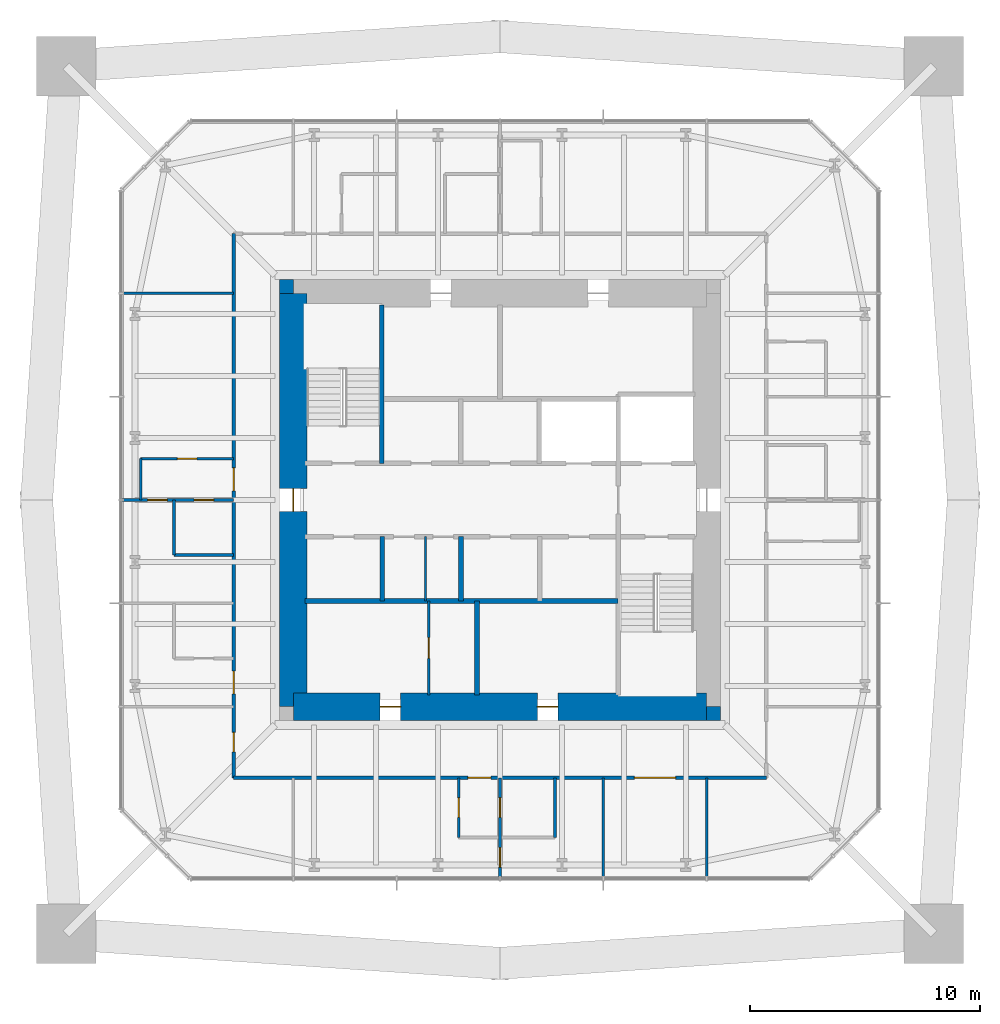
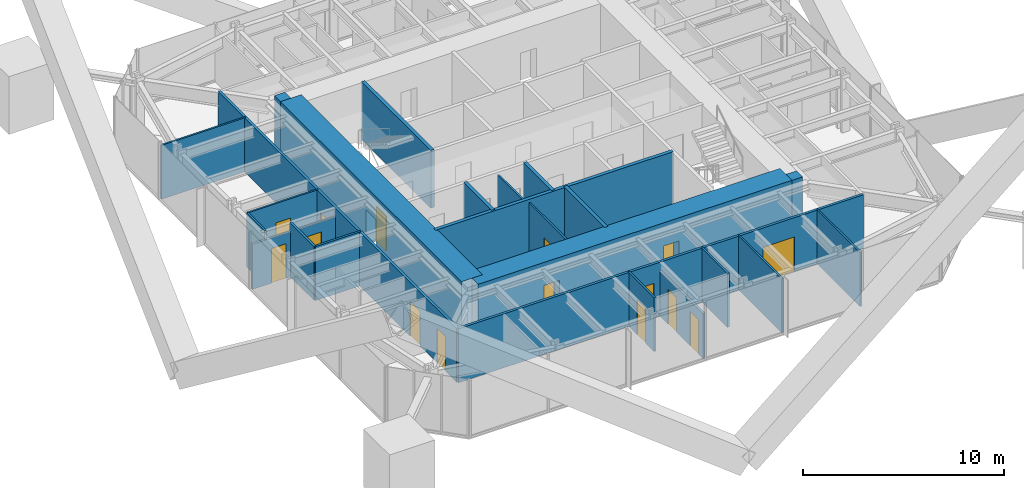
# One storey, part 8 of 11: 24 walls, 15 doors, 15 openings.
"""IFC4 building model written with IfcOpenShell, lengths in metres."""

from ifc_helpers import new_model, si_unit, direction, frame, frame_2d, origin, place, context, subcontext, project, spatial, rectangle, extrude, material, layer, layer_set, type_object, element, fill, save


model = new_model("IFC4")

# Units and contexts
model_context = context("Model", 3, precision=1e-05, world=origin(), true_north=direction((0.0, 1.0)))
body_context = subcontext(model_context, "Body", "Model", "MODEL_VIEW")
ifc_project = project(units=[si_unit("LENGTHUNIT", "METRE"), si_unit("AREAUNIT", "SQUARE_METRE"), si_unit("VOLUMEUNIT", "CUBIC_METRE"), si_unit("PLANEANGLEUNIT", "RADIAN"), si_unit("MASSUNIT", "GRAM", prefix="KILO")], contexts=[model_context])

# Site, building, storey
site_placement = place(None, origin())
site = spatial("IfcSite", under=ifc_project, at=site_placement, CompositionType="ELEMENT")
building_placement = place(site_placement, origin())
building = spatial("IfcBuilding", under=site, at=building_placement, Name="Iwan Alto Co-Living Towers", CompositionType="ELEMENT")
storey_placement = place(building_placement, frame((0.0, 0.0, 229.0)))
storey = spatial("IfcBuildingStorey", under=building, at=storey_placement, Name="L62", CompositionType="ELEMENT", Elevation=229.0)

# Wall, openings, doors
ifc_material_1 = material(Name="Gypsum board")
ifc_layer_1 = layer(ifc_material_1, 0.02490234375, Name="Board", Category="Finish")
ifc_material_2 = material(Name="Steel ASTM A1003 ST33H cold-formed studs", Category="steel")
ifc_layer_2 = layer(ifc_material_2, 0.10009765625, Name="Studs", Category="Framing")
ifc_layer_3 = layer(ifc_material_1, 0.02490234375, Name="Board", Category="Finish")
ifc_layer_set_1 = layer_set([ifc_layer_1, ifc_layer_2, ifc_layer_3], Name="CORRIDOR WALL 150")
wall_type_1 = type_object("IfcWallType", Name="CORRIDOR WALL 150", PredefinedType="PARTITIONING", material=ifc_layer_set_1)
wall_1_placement = place(storey_placement, frame((-11.60009765625, -12.10009765625, 0.0), z_axis=(0.0, 0.0, 1.0), x_axis=(1.0, 0.0, 0.0)))
wall_1 = element("IfcWall", 1, at=wall_1_placement, inside=storey, type_object=wall_type_1, Name="Partition L62", PredefinedType="PARTITIONING", context=body_context, shape_type="SweptSolid", body=[
    extrude(rectangle(XDim=23.2001953125, YDim=0.14990234375, at=frame_2d((11.60009765625, 0.0))), origin(), (0.0, 0.0, 1.0), 3.27001953125),
])
opening_1_placement = place(wall_1_placement, frame((10.199951171875, 0.0, 0.0)))
opening_1 = element("IfcOpeningElement", 2, at=opening_1_placement, cuts=wall_1, Name="Opening D3", PredefinedType="OPENING", context=body_context, shape_type="SweptSolid", body=[
    extrude(rectangle(XDim=1.0, YDim=2.10009765625, at=frame_2d((0.5, 1.050048828125))), frame((0.0, 0.0849609375, 0.0), z_axis=(0.0, -1.0, 0.0), x_axis=(1.0, 0.0, 0.0)), (0.0, 0.0, 1.0), 0.169921875),
])
opening_2_placement = place(wall_1_placement, frame((17.449951171875, 0.0, 0.0)))
opening_2 = element("IfcOpeningElement", 3, at=opening_2_placement, cuts=wall_1, Name="Opening D9", PredefinedType="OPENING", context=body_context, shape_type="SweptSolid", body=[
    extrude(rectangle(XDim=1.800048828125, YDim=2.10009765625, at=frame_2d((0.89990234375, 1.050048828125))), frame((0.0, 0.0849609375, 0.0), z_axis=(0.0, -1.0, 0.0), x_axis=(1.0, 0.0, 0.0)), (0.0, 0.0, 1.0), 0.169921875),
])
ifc_material_3 = material(Name="Steel frame with timber leaf", Category="steel")
door_type_1 = type_object("IfcDoorType", Name="FLAT ENTRANCE DOOR FD30S 1000X2100", OperationType="SINGLE_SWING_LEFT", PredefinedType="DOOR", material=ifc_material_3)
door_1_placement = place(opening_1_placement, frame((1.0, 0.0, 0.0), z_axis=(0.0, 0.0, 1.0), x_axis=(-1.0, 0.0, 0.0)))
door_1 = element("IfcDoor", 4, at=door_1_placement, inside=storey, type_object=door_type_1, Name="Apartment foyer door L62", OperationType="SINGLE_SWING_RIGHT", OverallHeight=2.10009765625, OverallWidth=1.0, PredefinedType="DOOR", context=body_context, shape_type="SweptSolid", body=[
    extrude(rectangle(XDim=1.0, YDim=2.10009765625, at=frame_2d((0.5, 1.050048828125))), frame((0.0, 0.02490234375, 0.0), z_axis=(0.0, -1.0, 0.0), x_axis=(1.0, 0.0, 0.0)), (0.0, 0.0, 1.0), 0.050048828125),
])
fill(opening_1, door_1)
ifc_material_4 = material(Name="Steel frame with timber leaf", Category="steel")
door_type_2 = type_object("IfcDoorType", Name="LOUNGE DOOR FD30S 1800X2100", OperationType="DOUBLE_DOOR_SINGLE_SWING", PredefinedType="DOOR", material=ifc_material_4)
door_2_placement = place(opening_2_placement, frame((1.800048828125, 0.0, 0.0), z_axis=(0.0, 0.0, 1.0), x_axis=(-1.0, 0.0, 0.0)))
door_2 = element("IfcDoor", 5, at=door_2_placement, inside=storey, type_object=door_type_2, Name="Seminar room door L62", OperationType="DOUBLE_DOOR_SINGLE_SWING", OverallHeight=2.10009765625, OverallWidth=1.800048828125, PredefinedType="DOOR", context=body_context, shape_type="SweptSolid", body=[
    extrude(rectangle(XDim=1.800048828125, YDim=2.10009765625, at=frame_2d((0.89990234375, 1.050048828125))), frame((0.0, 0.02490234375, 0.0), z_axis=(0.0, -1.0, 0.0), x_axis=(1.0, 0.0, 0.0)), (0.0, 0.0, 1.0), 0.050048828125),
])
fill(opening_2, door_2)

wall_2_placement = place(storey_placement, frame((-11.60009765625, -12.10009765625, 0.0), z_axis=(0.0, 0.0, 1.0), x_axis=(0.0, 1.0, 0.0)))
wall_2 = element("IfcWall", 6, at=wall_2_placement, inside=storey, type_object=wall_type_1, Name="Partition L62", PredefinedType="PARTITIONING", context=body_context, shape_type="SweptSolid", body=[
    extrude(rectangle(XDim=23.7001953125, YDim=0.14990234375, at=frame_2d((11.85009765625, 0.0))), origin(), (0.0, 0.0, 1.0), 3.27001953125),
])
opening_3_placement = place(wall_2_placement, frame((12.5, 0.0, 0.0)))
opening_3 = element("IfcOpeningElement", 7, at=opening_3_placement, cuts=wall_2, Name="Opening D3", PredefinedType="OPENING", context=body_context, shape_type="SweptSolid", body=[
    extrude(rectangle(XDim=1.0, YDim=2.10009765625, at=frame_2d((0.5, 1.050048828125))), frame((0.0, 0.0849609375, 0.0), z_axis=(0.0, -1.0, 0.0), x_axis=(1.0, 0.0, 0.0)), (0.0, 0.0, 1.0), 0.169921875),
])
opening_4_placement = place(wall_2_placement, frame((3.64990234375, 0.0, 0.0)))
opening_4 = element("IfcOpeningElement", 8, at=opening_4_placement, cuts=wall_2, Name="Opening D3", PredefinedType="OPENING", context=body_context, shape_type="SweptSolid", body=[
    extrude(rectangle(XDim=1.0, YDim=2.10009765625, at=frame_2d((0.5, 1.050048828125))), frame((0.0, 0.0849609375, 0.0), z_axis=(0.0, -1.0, 0.0), x_axis=(1.0, 0.0, 0.0)), (0.0, 0.0, 1.0), 0.169921875),
])
opening_5_placement = place(wall_2_placement, frame((1.125, 0.0, 0.0)))
opening_5 = element("IfcOpeningElement", 9, at=opening_5_placement, cuts=wall_2, Name="Opening D2", PredefinedType="OPENING", context=body_context, shape_type="SweptSolid", body=[
    extrude(rectangle(XDim=0.85009765625, YDim=2.10009765625, at=frame_2d((0.425048828125, 1.050048828125))), frame((0.0, 0.0849609375, 0.0), z_axis=(0.0, -1.0, 0.0), x_axis=(1.0, 0.0, 0.0)), (0.0, 0.0, 1.0), 0.169921875),
])
door_3_placement = place(opening_3_placement, origin())
door_3 = element("IfcDoor", 10, at=door_3_placement, inside=storey, type_object=door_type_1, Name="Apartment foyer door L62", OperationType="SINGLE_SWING_LEFT", OverallHeight=2.10009765625, OverallWidth=1.0, PredefinedType="DOOR", context=body_context, shape_type="SweptSolid", body=[
    extrude(rectangle(XDim=1.0, YDim=2.10009765625, at=frame_2d((0.5, 1.050048828125))), frame((0.0, 0.02490234375, 0.0), z_axis=(0.0, -1.0, 0.0), x_axis=(1.0, 0.0, 0.0)), (0.0, 0.0, 1.0), 0.050048828125),
])
fill(opening_3, door_3)
door_4_placement = place(opening_4_placement, origin())
door_4 = element("IfcDoor", 11, at=door_4_placement, inside=storey, type_object=door_type_1, Name="Studio door L62", OperationType="SINGLE_SWING_LEFT", OverallHeight=2.10009765625, OverallWidth=1.0, PredefinedType="DOOR", context=body_context, shape_type="SweptSolid", body=[
    extrude(rectangle(XDim=1.0, YDim=2.10009765625, at=frame_2d((0.5, 1.050048828125))), frame((0.0, 0.02490234375, 0.0), z_axis=(0.0, -1.0, 0.0), x_axis=(1.0, 0.0, 0.0)), (0.0, 0.0, 1.0), 0.050048828125),
])
fill(opening_4, door_4)
ifc_material_5 = material(Name="Timber leaf in steel frame", Category="steel")
door_type_3 = type_object("IfcDoorType", Name="ROOM DOOR 850X2100", OperationType="SINGLE_SWING_LEFT", PredefinedType="DOOR", material=ifc_material_5)
door_5_placement = place(opening_5_placement, origin())
door_5 = element("IfcDoor", 12, at=door_5_placement, inside=storey, type_object=door_type_3, Name="Shared kitchen and lounge door L62", OperationType="SINGLE_SWING_RIGHT", OverallHeight=2.10009765625, OverallWidth=0.85009765625, PredefinedType="DOOR", context=body_context, shape_type="SweptSolid", body=[
    extrude(rectangle(XDim=0.85009765625, YDim=2.10009765625, at=frame_2d((0.425048828125, 1.050048828125))), frame((0.0, 0.02490234375, 0.0), z_axis=(0.0, -1.0, 0.0), x_axis=(1.0, 0.0, 0.0)), (0.0, 0.0, 1.0), 0.050048828125),
])
fill(opening_5, door_5)

# Wall, opening, door
ifc_layer_4 = layer(ifc_material_1, 0.012451171875, Name="Board", Category="Finish")
ifc_layer_5 = layer(ifc_material_2, 0.074951171875, Name="Studs", Category="Framing")
ifc_layer_6 = layer(ifc_material_1, 0.012451171875, Name="Board", Category="Finish")
ifc_layer_set_2 = layer_set([ifc_layer_4, ifc_layer_5, ifc_layer_6], Name="PARTITION 100")
wall_type_2 = type_object("IfcWallType", Name="PARTITION 100", PredefinedType="PARTITIONING", material=ifc_layer_set_2)
wall_3_placement = place(storey_placement, frame((-15.64990234375, 1.800048828125, 0.0), z_axis=(0.0, 0.0, 1.0), x_axis=(1.0, 0.0, 0.0)))
wall_3 = element("IfcWall", 13, at=wall_3_placement, inside=storey, type_object=wall_type_2, Name="Partition L62", PredefinedType="PARTITIONING", context=body_context, shape_type="SweptSolid", body=[
    extrude(rectangle(XDim=4.0498046875, YDim=0.10009765625, at=frame_2d((2.02490234375, 0.0))), origin(), (0.0, 0.0, 1.0), 3.27001953125),
])
opening_6_placement = place(wall_3_placement, frame((1.60009765625, 0.0, 0.0)))
opening_6 = element("IfcOpeningElement", 14, at=opening_6_placement, cuts=wall_3, Name="Opening D2", PredefinedType="OPENING", context=body_context, shape_type="SweptSolid", body=[
    extrude(rectangle(XDim=0.85009765625, YDim=2.10009765625, at=frame_2d((0.425048828125, 1.050048828125))), frame((0.0, 0.06005859375, 0.0), z_axis=(0.0, -1.0, 0.0), x_axis=(1.0, 0.0, 0.0)), (0.0, 0.0, 1.0), 0.1201171875),
])
door_6_placement = place(opening_6_placement, origin())
door_6 = element("IfcDoor", 15, at=door_6_placement, inside=storey, type_object=door_type_3, Name="Apartment foyer door L62", OperationType="SINGLE_SWING_RIGHT", OverallHeight=2.10009765625, OverallWidth=0.85009765625, PredefinedType="DOOR", context=body_context, shape_type="SweptSolid", body=[
    extrude(rectangle(XDim=0.85009765625, YDim=2.10009765625, at=frame_2d((0.425048828125, 1.050048828125))), frame((0.0, 0.02490234375, 0.0), z_axis=(0.0, -1.0, 0.0), x_axis=(1.0, 0.0, 0.0)), (0.0, 0.0, 1.0), 0.050048828125),
])
fill(opening_6, door_6)

# Walls
wall_4_placement = place(storey_placement, frame((-16.43994140625, 9.0, 0.0), z_axis=(0.0, 0.0, 1.0), x_axis=(1.0, 0.0, 0.0)))
element("IfcWall", 16, at=wall_4_placement, inside=storey, type_object=wall_type_2, Name="Partition L62", PredefinedType="PARTITIONING", context=body_context, shape_type="SweptSolid", body=[
    extrude(rectangle(XDim=4.83984375, YDim=0.10009765625, at=frame_2d((2.419921875, 0.0))), origin(), (0.0, 0.0, 1.0), 3.27001953125),
])
for number, where, z_axis, x_axis, name in (
    (17, (9.0, -16.43994140625, 0.0), (0.0, 0.0, 1.0), (0.0, 1.0, 0.0), "Partition L62"),
    (18, (4.5, -16.43994140625, 0.0), (0.0, 0.0, 1.0), (0.0, 1.0, 0.0), "Partition L62"),
):
    element("IfcWall", number, at=place(storey_placement, frame(where, z_axis=z_axis, x_axis=x_axis)), inside=storey, type_object=wall_type_2, Name=name, PredefinedType="PARTITIONING", context=body_context, shape_type="SweptSolid", body=[
        extrude(rectangle(XDim=4.33984375, YDim=0.10009765625, at=frame_2d((2.169921875, 0.0))), origin(), (0.0, 0.0, 1.0), 3.27001953125),
    ])

# Wall, opening, door
wall_5_placement = place(storey_placement, frame((-1.800048828125, -14.699951171875, 0.0), z_axis=(0.0, 0.0, 1.0), x_axis=(0.0, 1.0, 0.0)))
wall_5 = element("IfcWall", 19, at=wall_5_placement, inside=storey, type_object=wall_type_2, Name="Partition L62", PredefinedType="PARTITIONING", context=body_context, shape_type="SweptSolid", body=[
    extrude(rectangle(XDim=2.599853515625, YDim=0.10009765625, at=frame_2d((1.2998046875, 0.0))), origin(), (0.0, 0.0, 1.0), 3.27001953125),
])
opening_7_placement = place(wall_5_placement, frame((0.875, 0.0, 0.0)))
opening_7 = element("IfcOpeningElement", 20, at=opening_7_placement, cuts=wall_5, Name="Opening D2", PredefinedType="OPENING", context=body_context, shape_type="SweptSolid", body=[
    extrude(rectangle(XDim=0.85009765625, YDim=2.10009765625, at=frame_2d((0.425048828125, 1.050048828125))), frame((0.0, 0.06005859375, 0.0), z_axis=(0.0, -1.0, 0.0), x_axis=(1.0, 0.0, 0.0)), (0.0, 0.0, 1.0), 0.1201171875),
])
door_7_placement = place(opening_7_placement, origin())
door_7 = element("IfcDoor", 21, at=door_7_placement, inside=storey, type_object=door_type_3, Name="Apartment foyer door L62", OperationType="SINGLE_SWING_RIGHT", OverallHeight=2.10009765625, OverallWidth=0.85009765625, PredefinedType="DOOR", context=body_context, shape_type="SweptSolid", body=[
    extrude(rectangle(XDim=0.85009765625, YDim=2.10009765625, at=frame_2d((0.425048828125, 1.050048828125))), frame((0.0, 0.02490234375, 0.0), z_axis=(0.0, -1.0, 0.0), x_axis=(1.0, 0.0, 0.0)), (0.0, 0.0, 1.0), 0.050048828125),
])
fill(opening_7, door_7)

wall_6_placement = place(storey_placement, frame((-3.10009765625, -8.489990234375, 0.0), z_axis=(0.0, 0.0, 1.0), x_axis=(0.0, 1.0, 0.0)))
wall_6 = element("IfcWall", 22, at=wall_6_placement, inside=storey, type_object=wall_type_2, Name="Partition L62", PredefinedType="PARTITIONING", context=body_context, shape_type="SweptSolid", body=[
    extrude(rectangle(XDim=4.090087890625, YDim=0.10009765625, at=frame_2d((2.044921875, 0.0))), origin(), (0.0, 0.0, 1.0), 3.300048828125),
])
opening_8_placement = place(wall_6_placement, frame((1.594970703125, 0.0, 0.0)))
opening_8 = element("IfcOpeningElement", 23, at=opening_8_placement, cuts=wall_6, Name="Opening D16", PredefinedType="OPENING", context=body_context, shape_type="SweptSolid", body=[
    extrude(rectangle(XDim=0.89990234375, YDim=2.10009765625, at=frame_2d((0.449951171875, 1.050048828125))), frame((0.0, 0.06005859375, 0.0), z_axis=(0.0, -1.0, 0.0), x_axis=(1.0, 0.0, 0.0)), (0.0, 0.0, 1.0), 0.1201171875),
])
ifc_material_6 = material(Name="Timber leaf in steel frame", Category="steel")
door_type_4 = type_object("IfcDoorType", Name="CUPBOARD SLIDING DOOR 900X2100", OperationType="SLIDING_TO_LEFT", PredefinedType="DOOR", material=ifc_material_6)
door_8_placement = place(opening_8_placement, origin())
door_8 = element("IfcDoor", 24, at=door_8_placement, inside=storey, type_object=door_type_4, Name="Recycling store door L62", OperationType="SLIDING_TO_LEFT", OverallHeight=2.10009765625, OverallWidth=0.89990234375, PredefinedType="DOOR", context=body_context, shape_type="SweptSolid", body=[
    extrude(rectangle(XDim=0.89990234375, YDim=2.10009765625, at=frame_2d((0.449951171875, 1.050048828125))), frame((0.0, 0.02490234375, 0.0), z_axis=(0.0, -1.0, 0.0), x_axis=(1.0, 0.0, 0.0)), (0.0, 0.0, 1.0), 0.050048828125),
])
fill(opening_8, door_8)

# Walls
wall_7_placement = place(storey_placement, frame((-3.240966796875, -4.39990234375, 0.0), z_axis=(0.0, 0.0, 1.0), x_axis=(0.0, 1.0, 0.0)))
element("IfcWall", 25, at=wall_7_placement, inside=storey, type_object=wall_type_2, Name="Partition L62", PredefinedType="PARTITIONING", context=body_context, shape_type="SweptSolid", body=[
    extrude(rectangle(XDim=2.7998046875, YDim=0.10009765625, at=frame_2d((1.39990234375, 0.0))), origin(), (0.0, 0.0, 1.0), 3.300048828125),
])
wall_8_placement = place(storey_placement, frame((-15.64990234375, 0.0, 0.0), z_axis=(0.0, 0.0, 1.0), x_axis=(0.0, 1.0, 0.0)))
element("IfcWall", 26, at=wall_8_placement, inside=storey, type_object=wall_type_2, Name="Partition L62", PredefinedType="PARTITIONING", context=body_context, shape_type="SweptSolid", body=[
    extrude(rectangle(XDim=1.800048828125, YDim=0.10009765625, at=frame_2d((0.89990234375, 0.0))), origin(), (0.0, 0.0, 1.0), 3.27001953125),
])
ifc_material_7 = material(Name="Concrete f'c 70 MPa", Category="concrete")
ifc_layer_7 = layer(ifc_material_7, 0.199951171875)
ifc_layer_set_3 = layer_set([ifc_layer_7], Name="SHAFT WALL 200")
wall_type_3 = type_object("IfcWallType", Name="SHAFT WALL 200", PredefinedType="SOLIDWALL", material=ifc_layer_set_3)
wall_9_placement = place(storey_placement, frame((-8.489990234375, -4.39990234375, 0.0), z_axis=(0.0, 0.0, 1.0), x_axis=(1.0, 0.0, 0.0)))
element("IfcWall", 27, at=wall_9_placement, inside=storey, type_object=wall_type_3, Name="Shaft wall L62", PredefinedType="SOLIDWALL", context=body_context, shape_type="SweptSolid", body=[
    extrude(rectangle(XDim=13.639892578125, YDim=0.199951171875, at=frame_2d((6.81982421875, 0.0))), origin(), (0.0, 0.0, 1.0), 3.5),
])
wall_10_placement = place(storey_placement, frame((-1.0, -8.489990234375, 0.0), z_axis=(0.0, 0.0, 1.0), x_axis=(0.0, 1.0, 0.0)))
element("IfcWall", 28, at=wall_10_placement, inside=storey, type_object=wall_type_3, Name="Shaft wall L62", PredefinedType="SOLIDWALL", context=body_context, shape_type="SweptSolid", body=[
    extrude(rectangle(XDim=4.090087890625, YDim=0.199951171875, at=frame_2d((2.044921875, 0.0))), origin(), (0.0, 0.0, 1.0), 3.5),
])
for number, where, z_axis, x_axis, name in (
    (29, (-1.699951171875, -4.39990234375, 0.0), (0.0, 0.0, 1.0), (0.0, 1.0, 0.0), "Shaft wall L62"),
    (30, (-5.125, -4.39990234375, 0.0), (0.0, 0.0, 1.0), (0.0, 1.0, 0.0), "Shaft wall L62"),
):
    element("IfcWall", number, at=place(storey_placement, frame(where, z_axis=z_axis, x_axis=x_axis)), inside=storey, type_object=wall_type_3, Name=name, PredefinedType="SOLIDWALL", context=body_context, shape_type="SweptSolid", body=[
        extrude(rectangle(XDim=2.7998046875, YDim=0.199951171875, at=frame_2d((1.39990234375, 0.0))), origin(), (0.0, 0.0, 1.0), 3.5),
    ])
wall_11_placement = place(storey_placement, frame((-5.14990234375, 1.60009765625, 0.0), z_axis=(0.0, 0.0, 1.0), x_axis=(0.0, 1.0, 0.0)))
element("IfcWall", 31, at=wall_11_placement, inside=storey, type_object=wall_type_3, Name="Shaft wall L62", PredefinedType="SOLIDWALL", context=body_context, shape_type="SweptSolid", body=[
    extrude(rectangle(XDim=6.889892578125, YDim=0.199951171875, at=frame_2d((3.44482421875, 0.0))), origin(), (0.0, 0.0, 1.0), 3.5),
])
ifc_material_8 = material(Name="Concrete f'c 70 MPa", Category="concrete")
ifc_layer_8 = layer(ifc_material_8, 0.60009765625)
ifc_layer_set_4 = layer_set([ifc_layer_8], Name="T1 CORE CORNER FILL 600")
wall_type_4 = type_object("IfcWallType", Name="T1 CORE CORNER FILL 600", PredefinedType="SOLIDWALL", material=ifc_layer_set_4)
for number, where, z_axis, x_axis, name in (
    (32, (9.0, -9.300048828125, 0.0), (0.0, 0.0, 1.0), (1.0, 0.0, 0.0), "T1 core corner SE L62"),
    (33, (-9.60009765625, 9.300048828125, 0.0), (0.0, 0.0, 1.0), (1.0, 0.0, 0.0), "T1 core corner NW L62"),
):
    element("IfcWall", number, at=place(storey_placement, frame(where, z_axis=z_axis, x_axis=x_axis)), inside=storey, type_object=wall_type_4, Name=name, PredefinedType="SOLIDWALL", context=body_context, shape_type="SweptSolid", body=[
        extrude(rectangle(XDim=0.60009765625, YDim=0.60009765625, at=frame_2d((0.300048828125, 0.0))), origin(), (0.0, 0.0, 1.0), 3.5),
    ])

# Wall, openings, doors
ifc_material_9 = material(Name="Concrete f'c 70 MPa", Category="concrete")
ifc_layer_9 = layer(ifc_material_9, 1.199951171875)
ifc_layer_set_5 = layer_set([ifc_layer_9], Name="T1 CORE WALL 1200")
wall_type_5 = type_object("IfcWallType", Name="T1 CORE WALL 1200", PredefinedType="SHEAR", material=ifc_layer_set_5)
wall_12_placement = place(storey_placement, frame((-9.0, -9.0, 0.0), z_axis=(0.0, 0.0, 1.0), x_axis=(1.0, 0.0, 0.0)))
wall_12 = element("IfcWall", 34, at=wall_12_placement, inside=storey, type_object=wall_type_5, Name="T1 core wall S L62", PredefinedType="SHEAR", context=body_context, shape_type="SweptSolid", body=[
    extrude(rectangle(XDim=18.0, YDim=1.199951171875, at=frame_2d((9.0, 0.0))), origin(), (0.0, 0.0, 1.0), 3.5),
])
opening_9_placement = place(wall_12_placement, frame((3.77490234375, 0.0, 0.0)))
opening_9 = element("IfcOpeningElement", 35, at=opening_9_placement, cuts=wall_12, Name="Opening D8", PredefinedType="OPENING", context=body_context, shape_type="SweptSolid", body=[
    extrude(rectangle(XDim=0.89990234375, YDim=2.10009765625, at=frame_2d((0.449951171875, 1.050048828125))), frame((0.0, 0.60986328125, 0.0), z_axis=(0.0, -1.0, 0.0), x_axis=(1.0, 0.0, 0.0)), (0.0, 0.0, 1.0), 1.219970703125),
])
opening_10_placement = place(wall_12_placement, frame((10.625, 0.0, 0.0)))
opening_10 = element("IfcOpeningElement", 36, at=opening_10_placement, cuts=wall_12, Name="Opening D8", PredefinedType="OPENING", context=body_context, shape_type="SweptSolid", body=[
    extrude(rectangle(XDim=0.89990234375, YDim=2.10009765625, at=frame_2d((0.449951171875, 1.050048828125))), frame((0.0, 0.60986328125, 0.0), z_axis=(0.0, -1.0, 0.0), x_axis=(1.0, 0.0, 0.0)), (0.0, 0.0, 1.0), 1.219970703125),
])
ifc_material_10 = material(Name="Steel frame with timber leaf", Category="steel")
door_type_5 = type_object("IfcDoorType", Name="RISER DOOR FD120 900X2100", OperationType="SINGLE_SWING_LEFT", PredefinedType="DOOR", material=ifc_material_10)
door_9_placement = place(opening_9_placement, origin())
door_9 = element("IfcDoor", 37, at=door_9_placement, inside=storey, type_object=door_type_5, Name="Refuse room core door L62", OperationType="SINGLE_SWING_RIGHT", OverallHeight=2.10009765625, OverallWidth=0.89990234375, PredefinedType="DOOR", context=body_context, shape_type="SweptSolid", body=[
    extrude(rectangle(XDim=0.89990234375, YDim=2.10009765625, at=frame_2d((0.449951171875, 1.050048828125))), frame((0.0, 0.02490234375, 0.0), z_axis=(0.0, -1.0, 0.0), x_axis=(1.0, 0.0, 0.0)), (0.0, 0.0, 1.0), 0.050048828125),
])
fill(opening_9, door_9)
door_10_placement = place(opening_10_placement, origin())
door_10 = element("IfcDoor", 38, at=door_10_placement, inside=storey, type_object=door_type_5, Name="Telecom riser core door L62", OperationType="SINGLE_SWING_LEFT", OverallHeight=2.10009765625, OverallWidth=0.89990234375, PredefinedType="DOOR", context=body_context, shape_type="SweptSolid", body=[
    extrude(rectangle(XDim=0.89990234375, YDim=2.10009765625, at=frame_2d((0.449951171875, 1.050048828125))), frame((0.0, 0.02490234375, 0.0), z_axis=(0.0, -1.0, 0.0), x_axis=(1.0, 0.0, 0.0)), (0.0, 0.0, 1.0), 0.050048828125),
])
fill(opening_10, door_10)

# Wall, opening, door
wall_13_placement = place(storey_placement, frame((-9.0, 9.0, 0.0), z_axis=(0.0, 0.0, 1.0), x_axis=(0.0, -1.0, 0.0)))
wall_13 = element("IfcWall", 39, at=wall_13_placement, inside=storey, type_object=wall_type_5, Name="T1 core wall W L62", PredefinedType="SHEAR", context=body_context, shape_type="SweptSolid", body=[
    extrude(rectangle(XDim=18.0, YDim=1.199951171875, at=frame_2d((9.0, 0.0))), origin(), (0.0, 0.0, 1.0), 3.5),
])
opening_11_placement = place(wall_13_placement, frame((8.5, 0.0, 0.0)))
opening_11 = element("IfcOpeningElement", 40, at=opening_11_placement, cuts=wall_13, Name="Opening D7", PredefinedType="OPENING", context=body_context, shape_type="SweptSolid", body=[
    extrude(rectangle(XDim=1.0, YDim=2.10009765625, at=frame_2d((0.5, 1.050048828125))), frame((0.0, 0.60986328125, 0.0), z_axis=(0.0, -1.0, 0.0), x_axis=(1.0, 0.0, 0.0)), (0.0, 0.0, 1.0), 1.219970703125),
])
ifc_material_11 = material(Name="Steel frame with timber leaf", Category="steel")
door_type_6 = type_object("IfcDoorType", Name="CORE DOOR FD120S 1000X2100", OperationType="SINGLE_SWING_LEFT", PredefinedType="DOOR", material=ifc_material_11)
door_11_placement = place(opening_11_placement, origin())
door_11 = element("IfcDoor", 41, at=door_11_placement, inside=storey, type_object=door_type_6, Name="Lift lobby core door L62", OperationType="SINGLE_SWING_RIGHT", OverallHeight=2.10009765625, OverallWidth=1.0, PredefinedType="DOOR", context=body_context, shape_type="SweptSolid", body=[
    extrude(rectangle(XDim=1.0, YDim=2.10009765625, at=frame_2d((0.5, 1.050048828125))), frame((0.0, 0.02490234375, 0.0), z_axis=(0.0, -1.0, 0.0), x_axis=(1.0, 0.0, 0.0)), (0.0, 0.0, 1.0), 0.050048828125),
])
fill(opening_11, door_11)

# Wall
ifc_material_12 = material(Name="Cement board")
ifc_layer_10 = layer(ifc_material_12, 0.012451171875, Name="Board", Category="Finish")
ifc_layer_11 = layer(ifc_material_2, 0.094970703125, Name="Studs", Category="Framing")
ifc_layer_12 = layer(ifc_material_12, 0.012451171875, Name="Board", Category="Finish")
ifc_layer_set_6 = layer_set([ifc_layer_10, ifc_layer_11, ifc_layer_12], Name="WET AREA PARTITION 120")
wall_type_6 = type_object("IfcWallType", Name="WET AREA PARTITION 120", PredefinedType="PARTITIONING", material=ifc_layer_set_6)
wall_14_placement = place(storey_placement, frame((-14.199951171875, -2.39990234375, 0.0), z_axis=(0.0, 0.0, 1.0), x_axis=(1.0, 0.0, 0.0)))
element("IfcWall", 42, at=wall_14_placement, inside=storey, type_object=wall_type_6, Name="Partition L62", PredefinedType="PARTITIONING", context=body_context, shape_type="SweptSolid", body=[
    extrude(rectangle(XDim=2.599853515625, YDim=0.1201171875, at=frame_2d((1.2998046875, 0.0))), origin(), (0.0, 0.0, 1.0), 3.27001953125),
])

# Wall, openings, doors
wall_15_placement = place(storey_placement, frame((-16.43994140625, 0.0, 0.0), z_axis=(0.0, 0.0, 1.0), x_axis=(1.0, 0.0, 0.0)))
wall_15 = element("IfcWall", 43, at=wall_15_placement, inside=storey, type_object=wall_type_6, Name="Partition L62", PredefinedType="PARTITIONING", context=body_context, shape_type="SweptSolid", body=[
    extrude(rectangle(XDim=4.83984375, YDim=0.1201171875, at=frame_2d((2.419921875, 0.0))), origin(), (0.0, 0.0, 1.0), 2.736572265625),
])
opening_12_placement = place(wall_15_placement, frame((1.090087890625, 0.0, 0.0)))
opening_12 = element("IfcOpeningElement", 44, at=opening_12_placement, cuts=wall_15, Name="Opening D2", PredefinedType="OPENING", context=body_context, shape_type="SweptSolid", body=[
    extrude(rectangle(XDim=0.85009765625, YDim=2.10009765625, at=frame_2d((0.425048828125, 1.050048828125))), frame((0.0, 0.070068359375, 0.0), z_axis=(0.0, -1.0, 0.0), x_axis=(1.0, 0.0, 0.0)), (0.0, 0.0, 1.0), 0.14013671875),
])
opening_13_placement = place(wall_15_placement, frame((3.114990234375, 0.0, 0.0)))
opening_13 = element("IfcOpeningElement", 45, at=opening_13_placement, cuts=wall_15, Name="Opening D2", PredefinedType="OPENING", context=body_context, shape_type="SweptSolid", body=[
    extrude(rectangle(XDim=0.85009765625, YDim=2.10009765625, at=frame_2d((0.425048828125, 1.050048828125))), frame((0.0, 0.070068359375, 0.0), z_axis=(0.0, -1.0, 0.0), x_axis=(1.0, 0.0, 0.0)), (0.0, 0.0, 1.0), 0.14013671875),
])
door_12_placement = place(opening_12_placement, frame((0.85009765625, 0.0, 0.0), z_axis=(0.0, 0.0, 1.0), x_axis=(-1.0, 0.0, 0.0)))
door_12 = element("IfcDoor", 46, at=door_12_placement, inside=storey, type_object=door_type_3, Name="Bedroom door L62", OperationType="SINGLE_SWING_LEFT", OverallHeight=2.10009765625, OverallWidth=0.85009765625, PredefinedType="DOOR", context=body_context, shape_type="SweptSolid", body=[
    extrude(rectangle(XDim=0.85009765625, YDim=2.10009765625, at=frame_2d((0.425048828125, 1.050048828125))), frame((0.0, 0.02490234375, 0.0), z_axis=(0.0, -1.0, 0.0), x_axis=(1.0, 0.0, 0.0)), (0.0, 0.0, 1.0), 0.050048828125),
])
fill(opening_12, door_12)
door_13_placement = place(opening_13_placement, frame((0.85009765625, 0.0, 0.0), z_axis=(0.0, 0.0, 1.0), x_axis=(-1.0, 0.0, 0.0)))
door_13 = element("IfcDoor", 47, at=door_13_placement, inside=storey, type_object=door_type_3, Name="Bathroom door L62", OperationType="SINGLE_SWING_RIGHT", OverallHeight=2.10009765625, OverallWidth=0.85009765625, PredefinedType="DOOR", context=body_context, shape_type="SweptSolid", body=[
    extrude(rectangle(XDim=0.85009765625, YDim=2.10009765625, at=frame_2d((0.425048828125, 1.050048828125))), frame((0.0, 0.02490234375, 0.0), z_axis=(0.0, -1.0, 0.0), x_axis=(1.0, 0.0, 0.0)), (0.0, 0.0, 1.0), 0.050048828125),
])
fill(opening_13, door_13)

# Wall
wall_16_placement = place(storey_placement, frame((2.39990234375, -14.699951171875, 0.0), z_axis=(0.0, 0.0, 1.0), x_axis=(0.0, 1.0, 0.0)))
element("IfcWall", 48, at=wall_16_placement, inside=storey, type_object=wall_type_6, Name="Partition L62", PredefinedType="PARTITIONING", context=body_context, shape_type="SweptSolid", body=[
    extrude(rectangle(XDim=2.599853515625, YDim=0.1201171875, at=frame_2d((1.2998046875, 0.0))), origin(), (0.0, 0.0, 1.0), 3.27001953125),
])

# Wall, openings, doors
wall_17_placement = place(storey_placement, frame((0.0, -16.43994140625, 0.0), z_axis=(0.0, 0.0, 1.0), x_axis=(0.0, 1.0, 0.0)))
wall_17 = element("IfcWall", 49, at=wall_17_placement, inside=storey, type_object=wall_type_6, Name="Partition L62", PredefinedType="PARTITIONING", context=body_context, shape_type="SweptSolid", body=[
    extrude(rectangle(XDim=4.33984375, YDim=0.1201171875, at=frame_2d((2.169921875, 0.0))), origin(), (0.0, 0.0, 1.0), 2.736572265625),
])
opening_14_placement = place(wall_17_placement, frame((0.445068359375, 0.0, 0.0)))
opening_14 = element("IfcOpeningElement", 50, at=opening_14_placement, cuts=wall_17, Name="Opening D2", PredefinedType="OPENING", context=body_context, shape_type="SweptSolid", body=[
    extrude(rectangle(XDim=0.85009765625, YDim=2.10009765625, at=frame_2d((0.425048828125, 1.050048828125))), frame((0.0, 0.070068359375, 0.0), z_axis=(0.0, -1.0, 0.0), x_axis=(1.0, 0.0, 0.0)), (0.0, 0.0, 1.0), 0.14013671875),
])
opening_15_placement = place(wall_17_placement, frame((2.614990234375, 0.0, 0.0)))
opening_15 = element("IfcOpeningElement", 51, at=opening_15_placement, cuts=wall_17, Name="Opening D2", PredefinedType="OPENING", context=body_context, shape_type="SweptSolid", body=[
    extrude(rectangle(XDim=0.85009765625, YDim=2.10009765625, at=frame_2d((0.425048828125, 1.050048828125))), frame((0.0, 0.070068359375, 0.0), z_axis=(0.0, -1.0, 0.0), x_axis=(1.0, 0.0, 0.0)), (0.0, 0.0, 1.0), 0.14013671875),
])
door_14_placement = place(opening_14_placement, origin())
door_14 = element("IfcDoor", 52, at=door_14_placement, inside=storey, type_object=door_type_3, Name="Bedroom door L62", OperationType="SINGLE_SWING_RIGHT", OverallHeight=2.10009765625, OverallWidth=0.85009765625, PredefinedType="DOOR", context=body_context, shape_type="SweptSolid", body=[
    extrude(rectangle(XDim=0.85009765625, YDim=2.10009765625, at=frame_2d((0.425048828125, 1.050048828125))), frame((0.0, 0.02490234375, 0.0), z_axis=(0.0, -1.0, 0.0), x_axis=(1.0, 0.0, 0.0)), (0.0, 0.0, 1.0), 0.050048828125),
])
fill(opening_14, door_14)
door_15_placement = place(opening_15_placement, frame((0.85009765625, 0.0, 0.0), z_axis=(0.0, 0.0, 1.0), x_axis=(-1.0, 0.0, 0.0)))
door_15 = element("IfcDoor", 53, at=door_15_placement, inside=storey, type_object=door_type_3, Name="Bathroom door L62", OperationType="SINGLE_SWING_RIGHT", OverallHeight=2.10009765625, OverallWidth=0.85009765625, PredefinedType="DOOR", context=body_context, shape_type="SweptSolid", body=[
    extrude(rectangle(XDim=0.85009765625, YDim=2.10009765625, at=frame_2d((0.425048828125, 1.050048828125))), frame((0.0, 0.02490234375, 0.0), z_axis=(0.0, -1.0, 0.0), x_axis=(1.0, 0.0, 0.0)), (0.0, 0.0, 1.0), 0.050048828125),
])
fill(opening_15, door_15)

# Wall
wall_18_placement = place(storey_placement, frame((-14.199951171875, -2.39990234375, 0.0), z_axis=(0.0, 0.0, 1.0), x_axis=(0.0, 1.0, 0.0)))
element("IfcWall", 54, at=wall_18_placement, inside=storey, type_object=wall_type_6, Name="Partition L62", PredefinedType="PARTITIONING", context=body_context, shape_type="SweptSolid", body=[
    extrude(rectangle(XDim=2.39990234375, YDim=0.1201171875, at=frame_2d((1.199951171875, 0.0))), origin(), (0.0, 0.0, 1.0), 3.27001953125),
])

save(model, "model.ifc")
